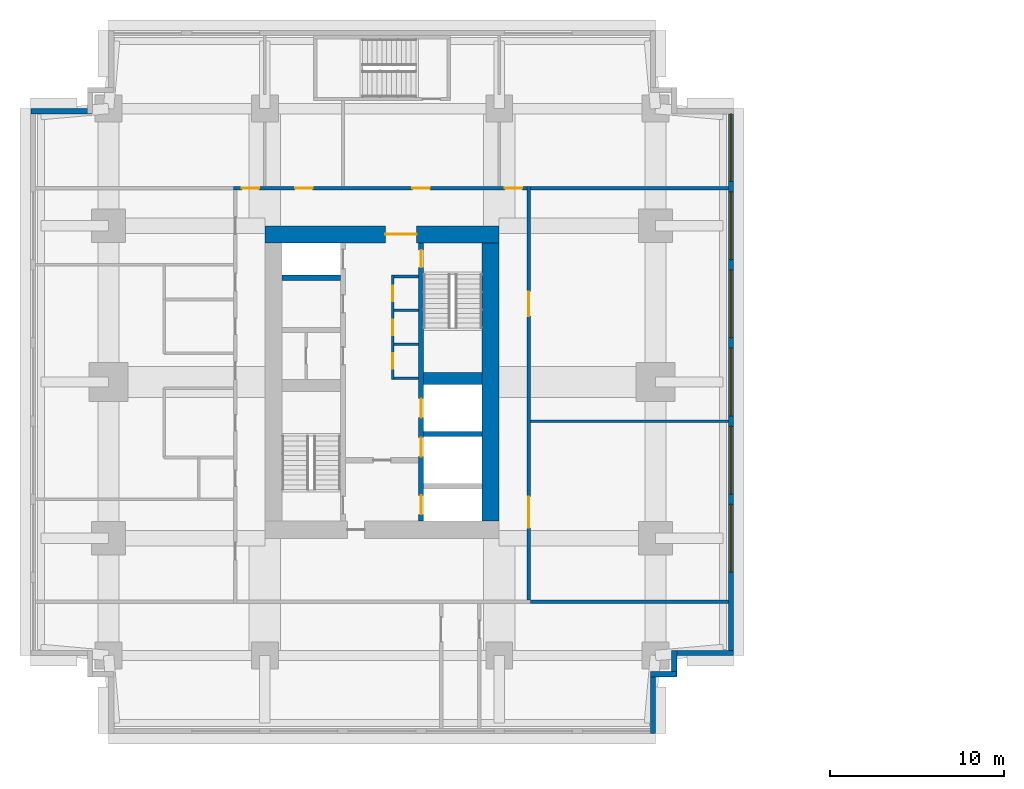
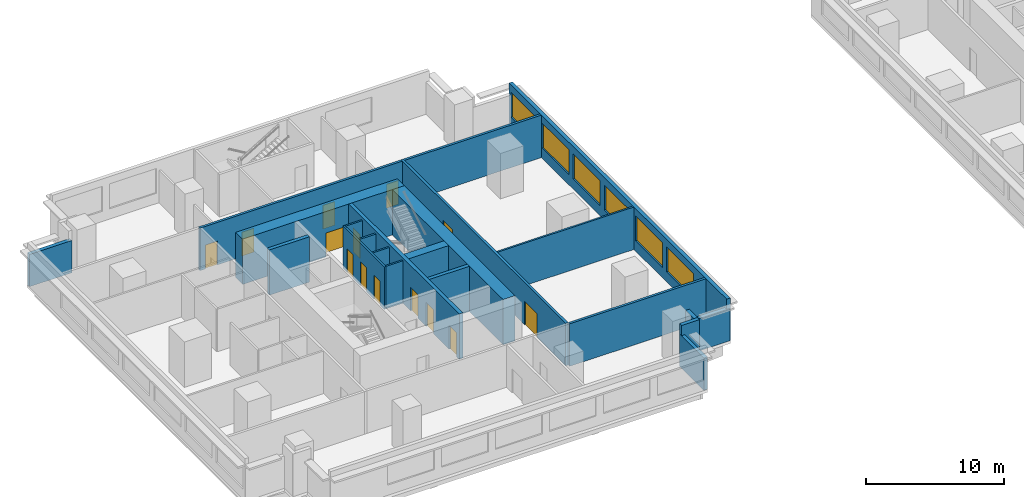
# One storey, part 4 of 11: 22 walls, 14 doors, 6 windows, 20 openings.
"""IFC4 building model written with IfcOpenShell, lengths in metres."""

from ifc_helpers import new_model, si_unit, direction, frame, frame_2d, origin, place, context, subcontext, project, spatial, rectangle, extrude, material, layer, layer_set, type_object, element, fill, save


model = new_model("IFC4")

# Units and contexts
model_context = context("Model", 3, precision=1e-05, world=origin(), true_north=direction((0.0, 1.0)))
body_context = subcontext(model_context, "Body", "Model", "MODEL_VIEW")
ifc_project = project(units=[si_unit("LENGTHUNIT", "METRE"), si_unit("AREAUNIT", "SQUARE_METRE"), si_unit("VOLUMEUNIT", "CUBIC_METRE"), si_unit("PLANEANGLEUNIT", "RADIAN"), si_unit("MASSUNIT", "GRAM", prefix="KILO")], contexts=[model_context])

# Site, building, storey
site_placement = place(None, origin())
site = spatial("IfcSite", under=ifc_project, at=site_placement, CompositionType="ELEMENT")
building_placement = place(site_placement, origin())
building = spatial("IfcBuilding", under=site, at=building_placement, Name="Namib Vertical Campus", CompositionType="ELEMENT")
storey_placement = place(building_placement, frame((0.0, 0.0, 213.0)))
storey = spatial("IfcBuildingStorey", under=building, at=storey_placement, Name="L50", CompositionType="ELEMENT", Elevation=213.0)

# Wall, openings, doors
ifc_material_1 = material(Name="Concrete C60/75", Category="concrete")
ifc_layer_1 = layer(ifc_material_1, 0.300048828125)
ifc_layer_set_1 = layer_set([ifc_layer_1], Name="Concrete C60/75")
wall_type_1 = type_object("IfcWallType", Name="Core inner wall 300", PredefinedType="SHEAR", material=ifc_layer_set_1)
wall_1_placement = place(storey_placement, frame((22.5, 12.25, 0.0), z_axis=(0.0, 0.0, 1.0), x_axis=(0.0, 1.0, 0.0)))
wall_1 = element("IfcWall", 1, at=wall_1_placement, inside=storey, type_object=wall_type_1, Name="Core inner wall A L50 W2", PredefinedType="SHEAR", context=body_context, shape_type="SweptSolid", body=[
    extrude(rectangle(XDim=16.0, YDim=0.300048828125, at=frame_2d((8.0, 0.0))), origin(), (0.0, 0.0, 1.0), 4.0),
])
opening_1_placement = place(wall_1_placement, frame((14.60009765625, 0.0, 0.0)))
opening_1 = element("IfcOpeningElement", 2, at=opening_1_placement, cuts=wall_1, Name="Opening FD1", PredefinedType="OPENING", context=body_context, shape_type="SweptSolid", body=[
    extrude(rectangle(XDim=1.0, YDim=2.10009765625, at=frame_2d((0.5, 1.050048828125))), frame((0.0, 0.159912109375, 0.0), z_axis=(0.0, -1.0, 0.0), x_axis=(1.0, 0.0, 0.0)), (0.0, 0.0, 1.0), 0.320068359375),
])
opening_2_placement = place(wall_1_placement, frame((0.375, 0.0, 0.0)))
opening_2 = element("IfcOpeningElement", 3, at=opening_2_placement, cuts=wall_1, Name="Opening LD1", PredefinedType="OPENING", context=body_context, shape_type="SweptSolid", body=[
    extrude(rectangle(XDim=1.10009765625, YDim=2.10009765625, at=frame_2d((0.550048828125, 1.050048828125))), frame((0.0, 0.159912109375, 0.0), z_axis=(0.0, -1.0, 0.0), x_axis=(1.0, 0.0, 0.0)), (0.0, 0.0, 1.0), 0.320068359375),
])
opening_3_placement = place(wall_1_placement, frame((3.699951171875, 0.0, 0.0)))
opening_3 = element("IfcOpeningElement", 4, at=opening_3_placement, cuts=wall_1, Name="Opening LD1", PredefinedType="OPENING", context=body_context, shape_type="SweptSolid", body=[
    extrude(rectangle(XDim=1.10009765625, YDim=2.10009765625, at=frame_2d((0.550048828125, 1.050048828125))), frame((0.0, 0.159912109375, 0.0), z_axis=(0.0, -1.0, 0.0), x_axis=(1.0, 0.0, 0.0)), (0.0, 0.0, 1.0), 0.320068359375),
])
opening_4_placement = place(wall_1_placement, frame((5.949951171875, 0.0, 0.0)))
opening_4 = element("IfcOpeningElement", 5, at=opening_4_placement, cuts=wall_1, Name="Opening LD1", PredefinedType="OPENING", context=body_context, shape_type="SweptSolid", body=[
    extrude(rectangle(XDim=1.10009765625, YDim=2.10009765625, at=frame_2d((0.550048828125, 1.050048828125))), frame((0.0, 0.159912109375, 0.0), z_axis=(0.0, -1.0, 0.0), x_axis=(1.0, 0.0, 0.0)), (0.0, 0.0, 1.0), 0.320068359375),
])
ifc_material_2 = material(Name="Steel fire door", Category="steel")
door_type_1 = type_object("IfcDoorType", Name="Fire door 1000x2100", OperationType="SINGLE_SWING_RIGHT", PredefinedType="DOOR", material=ifc_material_2)
door_1_placement = place(opening_1_placement, frame((1.0, 0.0, 0.0), z_axis=(0.0, 0.0, 1.0), x_axis=(-1.0, 0.0, 0.0)))
door_1 = element("IfcDoor", 6, at=door_1_placement, inside=storey, type_object=door_type_1, Name="Stair door FD1 A L50 S2", OperationType="SINGLE_SWING_LEFT", OverallHeight=2.10009765625, OverallWidth=1.0, PredefinedType="DOOR", context=body_context, shape_type="SweptSolid", body=[
    extrude(rectangle(XDim=1.0, YDim=2.10009765625, at=frame_2d((0.5, 1.050048828125))), frame((0.0, 0.02490234375, 0.0), z_axis=(0.0, -1.0, 0.0), x_axis=(1.0, 0.0, 0.0)), (0.0, 0.0, 1.0), 0.050048828125),
])
fill(opening_1, door_1)
ifc_material_3 = material(Name="Stainless steel lift door", Category="steel")
door_type_2 = type_object("IfcDoorType", Name="Lift landing door 1100x2100", OperationType="DOUBLE_DOOR_SLIDING", PredefinedType="DOOR", material=ifc_material_3)
door_2_placement = place(opening_2_placement, origin())
door_2 = element("IfcDoor", 7, at=door_2_placement, inside=storey, type_object=door_type_2, Name="Lift landing door LD1 A-FL1 L50", OperationType="DOUBLE_DOOR_SLIDING", OverallHeight=2.10009765625, OverallWidth=1.10009765625, PredefinedType="DOOR", context=body_context, shape_type="SweptSolid", body=[
    extrude(rectangle(XDim=1.10009765625, YDim=2.10009765625, at=frame_2d((0.550048828125, 1.050048828125))), frame((0.0, 0.02490234375, 0.0), z_axis=(0.0, -1.0, 0.0), x_axis=(1.0, 0.0, 0.0)), (0.0, 0.0, 1.0), 0.050048828125),
])
fill(opening_2, door_2)
door_3_placement = place(opening_3_placement, origin())
door_3 = element("IfcDoor", 8, at=door_3_placement, inside=storey, type_object=door_type_2, Name="Lift landing door LD1 A-P4 L50", OperationType="DOUBLE_DOOR_SLIDING", OverallHeight=2.10009765625, OverallWidth=1.10009765625, PredefinedType="DOOR", context=body_context, shape_type="SweptSolid", body=[
    extrude(rectangle(XDim=1.10009765625, YDim=2.10009765625, at=frame_2d((0.550048828125, 1.050048828125))), frame((0.0, 0.02490234375, 0.0), z_axis=(0.0, -1.0, 0.0), x_axis=(1.0, 0.0, 0.0)), (0.0, 0.0, 1.0), 0.050048828125),
])
fill(opening_3, door_3)
door_4_placement = place(opening_4_placement, origin())
door_4 = element("IfcDoor", 9, at=door_4_placement, inside=storey, type_object=door_type_2, Name="Lift landing door LD1 A-P5 L50", OperationType="DOUBLE_DOOR_SLIDING", OverallHeight=2.10009765625, OverallWidth=1.10009765625, PredefinedType="DOOR", context=body_context, shape_type="SweptSolid", body=[
    extrude(rectangle(XDim=1.10009765625, YDim=2.10009765625, at=frame_2d((0.550048828125, 1.050048828125))), frame((0.0, 0.02490234375, 0.0), z_axis=(0.0, -1.0, 0.0), x_axis=(1.0, 0.0, 0.0)), (0.0, 0.0, 1.0), 0.050048828125),
])
fill(opening_4, door_4)

# Walls
for number, where, z_axis, x_axis, name in (
    (10, (22.64990234375, 17.25, 0.0), (0.0, 0.0, 1.0), (1.0, 0.0, 0.0), "Core inner wall A L50 W6"),
    (11, (14.5, 26.25, 0.0), (0.0, 0.0, 1.0), (1.0, 0.0, 0.0), "Core inner wall A L50 W9"),
):
    element("IfcWall", number, at=place(storey_placement, frame(where, z_axis=z_axis, x_axis=x_axis)), inside=storey, type_object=wall_type_1, Name=name, PredefinedType="SHEAR", context=body_context, shape_type="SweptSolid", body=[
        extrude(rectangle(XDim=3.35009765625, YDim=0.300048828125, at=frame_2d((1.675048828125, 0.0))), origin(), (0.0, 0.0, 1.0), 4.0),
    ])
ifc_material_4 = material(Name="Concrete C60/75", Category="concrete")
ifc_layer_2 = layer(ifc_material_4, 0.699951171875)
ifc_layer_set_2 = layer_set([ifc_layer_2], Name="Concrete C60/75")
wall_type_2 = type_object("IfcWallType", Name="Core shear wall 700", PredefinedType="SHEAR", material=ifc_layer_set_2)
wall_2_placement = place(storey_placement, frame((22.64990234375, 20.449951171875, 0.0), z_axis=(0.0, 0.0, 1.0), x_axis=(1.0, 0.0, 0.0)))
element("IfcWall", 12, at=wall_2_placement, inside=storey, type_object=wall_type_2, Name="Core shear wall A L50 W7", PredefinedType="SHEAR", context=body_context, shape_type="SweptSolid", body=[
    extrude(rectangle(XDim=3.35009765625, YDim=0.699951171875, at=frame_2d((1.675048828125, 0.0))), origin(), (0.0, 0.0, 1.0), 4.0),
])
ifc_material_5 = material(Name="Concrete C60/75", Category="concrete")
ifc_layer_3 = layer(ifc_material_5, 1.0)
ifc_layer_set_3 = layer_set([ifc_layer_3], Name="Concrete C60/75")
wall_type_3 = type_object("IfcWallType", Name="Core wall 1000", PredefinedType="SHEAR", material=ifc_layer_set_3)
wall_3_placement = place(storey_placement, frame((26.5, 12.25, 0.0), z_axis=(0.0, 0.0, 1.0), x_axis=(0.0, 1.0, 0.0)))
element("IfcWall", 13, at=wall_3_placement, inside=storey, type_object=wall_type_3, Name="Core wall A L50 2", PredefinedType="SHEAR", context=body_context, shape_type="SweptSolid", body=[
    extrude(rectangle(XDim=16.0, YDim=1.0, at=frame_2d((8.0, 0.0))), origin(), (0.0, 0.0, 1.0), 4.0),
])

# Wall, opening, door
wall_4_placement = place(storey_placement, frame((27.0, 28.75, 0.0), z_axis=(0.0, 0.0, 1.0), x_axis=(-1.0, 0.0, 0.0)))
wall_4 = element("IfcWall", 14, at=wall_4_placement, inside=storey, type_object=wall_type_3, Name="Core wall A L50 3", PredefinedType="SHEAR", context=body_context, shape_type="SweptSolid", body=[
    extrude(rectangle(XDim=13.5, YDim=1.0, at=frame_2d((6.75, 0.0))), origin(), (0.0, 0.0, 1.0), 4.0),
])
opening_5_placement = place(wall_4_placement, frame((4.75, 0.0, 0.0)))
opening_5 = element("IfcOpeningElement", 15, at=opening_5_placement, cuts=wall_4, Name="Opening FD2", PredefinedType="OPENING", context=body_context, shape_type="SweptSolid", body=[
    extrude(rectangle(XDim=1.800048828125, YDim=2.10009765625, at=frame_2d((0.89990234375, 1.050048828125))), frame((0.0, 0.510009765625, 0.0), z_axis=(0.0, -1.0, 0.0), x_axis=(1.0, 0.0, 0.0)), (0.0, 0.0, 1.0), 1.02001953125),
])
ifc_material_6 = material(Name="Steel fire door", Category="steel")
door_type_3 = type_object("IfcDoorType", Name="Fire door double 1800x2100", OperationType="DOUBLE_DOOR_SINGLE_SWING", PredefinedType="DOOR", material=ifc_material_6)
door_5_placement = place(opening_5_placement, origin())
door_5 = element("IfcDoor", 16, at=door_5_placement, inside=storey, type_object=door_type_3, Name="Lift lobby door FD2 A L50", OperationType="DOUBLE_DOOR_SINGLE_SWING", OverallHeight=2.10009765625, OverallWidth=1.800048828125, PredefinedType="DOOR", context=body_context, shape_type="SweptSolid", body=[
    extrude(rectangle(XDim=1.800048828125, YDim=2.10009765625, at=frame_2d((0.89990234375, 1.050048828125))), frame((0.0, 0.02490234375, 0.0), z_axis=(0.0, -1.0, 0.0), x_axis=(1.0, 0.0, 0.0)), (0.0, 0.0, 1.0), 0.050048828125),
])
fill(opening_5, door_5)

# Wall, openings, doors
ifc_material_7 = material(Name="Concrete masonry", Category="masonry")
ifc_layer_4 = layer(ifc_material_7, 0.199951171875)
ifc_layer_set_4 = layer_set([ifc_layer_4], Name="Corridor wall 200")
wall_type_4 = type_object("IfcWallType", Name="Corridor wall 200", PredefinedType="SOLIDWALL", material=ifc_layer_set_4)
wall_5_placement = place(storey_placement, frame((28.699951171875, 7.699951171875, 0.0), z_axis=(0.0, 0.0, 1.0), x_axis=(0.0, 1.0, 0.0)))
wall_5 = element("IfcWall", 17, at=wall_5_placement, inside=storey, type_object=wall_type_4, Name="Corridor wall A L50 CE", PredefinedType="SOLIDWALL", context=body_context, shape_type="SweptSolid", body=[
    extrude(rectangle(XDim=23.800048828125, YDim=0.199951171875, at=frame_2d((11.89990234375, 0.0))), origin(), (0.0, 0.0, 1.0), 3.75),
])
opening_6_placement = place(wall_5_placement, frame((4.14990234375, 0.0, 0.0)))
opening_6 = element("IfcOpeningElement", 18, at=opening_6_placement, cuts=wall_5, Name="Opening CD2", PredefinedType="OPENING", context=body_context, shape_type="SweptSolid", body=[
    extrude(rectangle(XDim=1.800048828125, YDim=2.10009765625, at=frame_2d((0.89990234375, 1.050048828125))), frame((0.0, 0.10986328125, 0.0), z_axis=(0.0, -1.0, 0.0), x_axis=(1.0, 0.0, 0.0)), (0.0, 0.0, 1.0), 0.219970703125),
])
opening_7_placement = place(wall_5_placement, frame((16.35009765625, 0.0, 0.0)))
opening_7 = element("IfcOpeningElement", 19, at=opening_7_placement, cuts=wall_5, Name="Opening LB1", PredefinedType="OPENING", context=body_context, shape_type="SweptSolid", body=[
    extrude(rectangle(XDim=1.39990234375, YDim=2.10009765625, at=frame_2d((0.699951171875, 1.050048828125))), frame((0.0, 0.10986328125, 0.0), z_axis=(0.0, -1.0, 0.0), x_axis=(1.0, 0.0, 0.0)), (0.0, 0.0, 1.0), 0.219970703125),
])
ifc_material_8 = material(Name="Timber fire door leaf", Category="wood")
door_type_4 = type_object("IfcDoorType", Name="Corridor door double 1800x2100 20 min", OperationType="DOUBLE_DOOR_SINGLE_SWING", PredefinedType="DOOR", material=ifc_material_8)
door_6_placement = place(opening_6_placement, frame((1.800048828125, 0.0, 0.0), z_axis=(0.0, 0.0, 1.0), x_axis=(-1.0, 0.0, 0.0)))
door_6 = element("IfcDoor", 20, at=door_6_placement, inside=storey, type_object=door_type_4, Name="Door CD2 A50-03", OperationType="DOUBLE_DOOR_SINGLE_SWING", OverallHeight=2.10009765625, OverallWidth=1.800048828125, PredefinedType="DOOR", context=body_context, shape_type="SweptSolid", body=[
    extrude(rectangle(XDim=1.800048828125, YDim=2.10009765625, at=frame_2d((0.89990234375, 1.050048828125))), frame((0.0, 0.02490234375, 0.0), z_axis=(0.0, -1.0, 0.0), x_axis=(1.0, 0.0, 0.0)), (0.0, 0.0, 1.0), 0.050048828125),
])
fill(opening_6, door_6)
ifc_material_9 = material(Name="Timber fire door leaf", Category="wood")
door_type_5 = type_object("IfcDoorType", Name="Laboratory door 1400x2100 leaf and a half", OperationType="DOUBLE_DOOR_SINGLE_SWING", PredefinedType="DOOR", material=ifc_material_9)
door_7_placement = place(opening_7_placement, frame((1.39990234375, 0.0, 0.0), z_axis=(0.0, 0.0, 1.0), x_axis=(-1.0, 0.0, 0.0)))
door_7 = element("IfcDoor", 21, at=door_7_placement, inside=storey, type_object=door_type_5, Name="Door LB1 A50-04", OperationType="DOUBLE_DOOR_SINGLE_SWING", OverallHeight=2.10009765625, OverallWidth=1.39990234375, PredefinedType="DOOR", context=body_context, shape_type="SweptSolid", body=[
    extrude(rectangle(XDim=1.39990234375, YDim=2.10009765625, at=frame_2d((0.699951171875, 1.050048828125))), frame((0.0, 0.02490234375, 0.0), z_axis=(0.0, -1.0, 0.0), x_axis=(1.0, 0.0, 0.0)), (0.0, 0.0, 1.0), 0.050048828125),
])
fill(opening_7, door_7)

wall_6_placement = place(storey_placement, frame((28.60009765625, 31.39990234375, 0.0), z_axis=(0.0, 0.0, 1.0), x_axis=(-1.0, 0.0, 0.0)))
wall_6 = element("IfcWall", 22, at=wall_6_placement, inside=storey, type_object=wall_type_4, Name="Corridor wall A L50 CN", PredefinedType="SOLIDWALL", context=body_context, shape_type="SweptSolid", body=[
    extrude(rectangle(XDim=16.900146484375, YDim=0.199951171875, at=frame_2d((8.4501953125, 0.0))), origin(), (0.0, 0.0, 1.0), 3.75),
])
opening_8_placement = place(wall_6_placement, frame((15.425048828125, 0.0, 0.0)))
opening_8 = element("IfcOpeningElement", 23, at=opening_8_placement, cuts=wall_6, Name="Opening CD1", PredefinedType="OPENING", context=body_context, shape_type="SweptSolid", body=[
    extrude(rectangle(XDim=1.0, YDim=2.10009765625, at=frame_2d((0.5, 1.050048828125))), frame((0.0, 0.10986328125, 0.0), z_axis=(0.0, -1.0, 0.0), x_axis=(1.0, 0.0, 0.0)), (0.0, 0.0, 1.0), 0.219970703125),
])
opening_9_placement = place(wall_6_placement, frame((12.35009765625, 0.0, 0.0)))
opening_9 = element("IfcOpeningElement", 24, at=opening_9_placement, cuts=wall_6, Name="Opening CD1", PredefinedType="OPENING", context=body_context, shape_type="SweptSolid", body=[
    extrude(rectangle(XDim=1.0, YDim=2.10009765625, at=frame_2d((0.5, 1.050048828125))), frame((0.0, 0.10986328125, 0.0), z_axis=(0.0, -1.0, 0.0), x_axis=(1.0, 0.0, 0.0)), (0.0, 0.0, 1.0), 0.219970703125),
])
opening_10_placement = place(wall_6_placement, frame((5.60009765625, 0.0, 0.0)))
opening_10 = element("IfcOpeningElement", 25, at=opening_10_placement, cuts=wall_6, Name="Opening CD4", PredefinedType="OPENING", context=body_context, shape_type="SweptSolid", body=[
    extrude(rectangle(XDim=1.0, YDim=2.10009765625, at=frame_2d((0.5, 1.050048828125))), frame((0.0, 0.10986328125, 0.0), z_axis=(0.0, -1.0, 0.0), x_axis=(1.0, 0.0, 0.0)), (0.0, 0.0, 1.0), 0.219970703125),
])
opening_11_placement = place(wall_6_placement, frame((0.27490234375, 0.0, 0.0)))
opening_11 = element("IfcOpeningElement", 26, at=opening_11_placement, cuts=wall_6, Name="Opening CD1", PredefinedType="OPENING", context=body_context, shape_type="SweptSolid", body=[
    extrude(rectangle(XDim=1.0, YDim=2.10009765625, at=frame_2d((0.5, 1.050048828125))), frame((0.0, 0.10986328125, 0.0), z_axis=(0.0, -1.0, 0.0), x_axis=(1.0, 0.0, 0.0)), (0.0, 0.0, 1.0), 0.219970703125),
])
ifc_material_10 = material(Name="Timber fire door leaf", Category="wood")
door_type_6 = type_object("IfcDoorType", Name="Corridor door 1000x2100 20 min", OperationType="SINGLE_SWING_LEFT", PredefinedType="DOOR", material=ifc_material_10)
door_8_placement = place(opening_8_placement, frame((1.0, 0.0, 0.0), z_axis=(0.0, 0.0, 1.0), x_axis=(-1.0, 0.0, 0.0)))
door_8 = element("IfcDoor", 27, at=door_8_placement, inside=storey, type_object=door_type_6, Name="Door CD1 A50-05", OperationType="SINGLE_SWING_RIGHT", OverallHeight=2.10009765625, OverallWidth=1.0, PredefinedType="DOOR", context=body_context, shape_type="SweptSolid", body=[
    extrude(rectangle(XDim=1.0, YDim=2.10009765625, at=frame_2d((0.5, 1.050048828125))), frame((0.0, 0.02490234375, 0.0), z_axis=(0.0, -1.0, 0.0), x_axis=(1.0, 0.0, 0.0)), (0.0, 0.0, 1.0), 0.050048828125),
])
fill(opening_8, door_8)
door_9_placement = place(opening_9_placement, frame((1.0, 0.0, 0.0), z_axis=(0.0, 0.0, 1.0), x_axis=(-1.0, 0.0, 0.0)))
door_9 = element("IfcDoor", 28, at=door_9_placement, inside=storey, type_object=door_type_6, Name="Door CD1 A50-06", OperationType="SINGLE_SWING_RIGHT", OverallHeight=2.10009765625, OverallWidth=1.0, PredefinedType="DOOR", context=body_context, shape_type="SweptSolid", body=[
    extrude(rectangle(XDim=1.0, YDim=2.10009765625, at=frame_2d((0.5, 1.050048828125))), frame((0.0, 0.02490234375, 0.0), z_axis=(0.0, -1.0, 0.0), x_axis=(1.0, 0.0, 0.0)), (0.0, 0.0, 1.0), 0.050048828125),
])
fill(opening_9, door_9)
door_10_placement = place(opening_11_placement, frame((1.0, 0.0, 0.0), z_axis=(0.0, 0.0, 1.0), x_axis=(-1.0, 0.0, 0.0)))
door_10 = element("IfcDoor", 29, at=door_10_placement, inside=storey, type_object=door_type_6, Name="Door CD1 A50-08", OperationType="SINGLE_SWING_LEFT", OverallHeight=2.10009765625, OverallWidth=1.0, PredefinedType="DOOR", context=body_context, shape_type="SweptSolid", body=[
    extrude(rectangle(XDim=1.0, YDim=2.10009765625, at=frame_2d((0.5, 1.050048828125))), frame((0.0, 0.02490234375, 0.0), z_axis=(0.0, -1.0, 0.0), x_axis=(1.0, 0.0, 0.0)), (0.0, 0.0, 1.0), 0.050048828125),
])
fill(opening_11, door_10)
ifc_material_11 = material(Name="Timber fire door leaf", Category="wood")
door_type_7 = type_object("IfcDoorType", Name="Corridor door 1000x2100 20 min double-acting", OperationType="DOUBLE_SWING_LEFT", PredefinedType="DOOR", material=ifc_material_11)
door_11_placement = place(opening_10_placement, origin())
door_11 = element("IfcDoor", 30, at=door_11_placement, inside=storey, type_object=door_type_7, Name="Door CD4 A50-07", OperationType="DOUBLE_SWING_LEFT", OverallHeight=2.10009765625, OverallWidth=1.0, PredefinedType="DOOR", context=body_context, shape_type="SweptSolid", body=[
    extrude(rectangle(XDim=1.0, YDim=2.10009765625, at=frame_2d((0.5, 1.050048828125))), frame((0.0, 0.02490234375, 0.0), z_axis=(0.0, -1.0, 0.0), x_axis=(1.0, 0.0, 0.0)), (0.0, 0.0, 1.0), 0.050048828125),
])
fill(opening_10, door_11)

# Walls
for number, where, z_axis, x_axis, name in (
    (31, (28.800048828125, 7.60009765625, 0.0), (0.0, 0.0, 1.0), (1.0, 0.0, 0.0), "Partition A L50 BSE"),
    (32, (28.800048828125, 31.39990234375, 0.0), (0.0, 0.0, 1.0), (1.0, 0.0, 0.0), "Partition A L50 BNE"),
):
    element("IfcWall", number, at=place(storey_placement, frame(where, z_axis=z_axis, x_axis=x_axis)), inside=storey, type_object=wall_type_4, Name=name, PredefinedType="SOLIDWALL", context=body_context, shape_type="SweptSolid", body=[
        extrude(rectangle(XDim=11.39990234375, YDim=0.199951171875, at=frame_2d((5.699951171875, 0.0))), origin(), (0.0, 0.0, 1.0), 3.75),
    ])
ifc_material_12 = material(Name="Concrete C40/50", Category="concrete")
ifc_layer_5 = layer(ifc_material_12, 0.300048828125)
ifc_layer_set_5 = layer_set([ifc_layer_5], Name="Concrete C40/50")
wall_type_5 = type_object("IfcWallType", Name="External wall 300 board-marked concrete", PredefinedType="STANDARD", material=ifc_layer_set_5)
wall_7_placement = place(storey_placement, frame((35.85009765625, 0.02001953125, 0.0), z_axis=(0.0, 0.0, 1.0), x_axis=(0.0, 1.0, 0.0)))
element("IfcWall", 33, at=wall_7_placement, inside=storey, type_object=wall_type_5, Name="External wall L50 F02", PredefinedType="STANDARD", context=body_context, shape_type="SweptSolid", body=[
    extrude(rectangle(XDim=3.534912109375, YDim=0.300048828125, at=frame_2d((1.767578125, 0.0))), origin(), (0.0, 0.0, 1.0), 2.85009765625),
])
for number, where, z_axis, x_axis, name in (
    (34, (35.719970703125, 3.425048828125, 0.0), (0.0, 0.0, 1.0), (1.0, 0.0, 0.0), "External wall L50 F03"),
    (35, (37.074951171875, 3.294921875, 0.0), (0.0, 0.0, 1.0), (0.0, 1.0, 0.0), "External wall L50 F04"),
):
    element("IfcWall", number, at=place(storey_placement, frame(where, z_axis=z_axis, x_axis=x_axis)), inside=storey, type_object=wall_type_5, Name=name, PredefinedType="STANDARD", context=body_context, shape_type="SweptSolid", body=[
        extrude(rectangle(XDim=1.485107421875, YDim=0.300048828125, at=frame_2d((0.74267578125, 0.0))), origin(), (0.0, 0.0, 1.0), 3.75),
    ])
wall_8_placement = place(storey_placement, frame((36.945068359375, 4.64990234375, 0.0), z_axis=(0.0, 0.0, 1.0), x_axis=(1.0, 0.0, 0.0)))
element("IfcWall", 36, at=wall_8_placement, inside=storey, type_object=wall_type_5, Name="External wall L50 F05", PredefinedType="STANDARD", context=body_context, shape_type="SweptSolid", body=[
    extrude(rectangle(XDim=3.534912109375, YDim=0.300048828125, at=frame_2d((1.767578125, 0.0))), origin(), (0.0, 0.0, 1.0), 2.85009765625),
])

# Wall, openings, windows
wall_9_placement = place(storey_placement, frame((40.35009765625, 4.52001953125, 0.0), z_axis=(0.0, 0.0, 1.0), x_axis=(0.0, 1.0, 0.0)))
wall_9 = element("IfcWall", 37, at=wall_9_placement, inside=storey, type_object=wall_type_5, Name="External wall L50 F06", PredefinedType="STANDARD", context=body_context, shape_type="SweptSolid", body=[
    extrude(rectangle(XDim=31.4599609375, YDim=0.300048828125, at=frame_2d((15.72998046875, 0.0))), origin(), (0.0, 0.0, 1.0), 3.75),
])
opening_12_placement = place(wall_9_placement, frame((4.780029296875, 0.0, 0.89990234375)))
opening_12 = element("IfcOpeningElement", 38, at=opening_12_placement, cuts=wall_9, Name="Opening W1", PredefinedType="OPENING", context=body_context, shape_type="SweptSolid", body=[
    extrude(rectangle(XDim=3.89990234375, YDim=2.199951171875, at=frame_2d((1.949951171875, 1.10009765625))), frame((0.0, 0.159912109375, 0.0), z_axis=(0.0, -1.0, 0.0), x_axis=(1.0, 0.0, 0.0)), (0.0, 0.0, 1.0), 0.320068359375),
])
opening_13_placement = place(wall_9_placement, frame((9.280029296875, 0.0, 0.89990234375)))
opening_13 = element("IfcOpeningElement", 39, at=opening_13_placement, cuts=wall_9, Name="Opening W1", PredefinedType="OPENING", context=body_context, shape_type="SweptSolid", body=[
    extrude(rectangle(XDim=3.89990234375, YDim=2.199951171875, at=frame_2d((1.949951171875, 1.10009765625))), frame((0.0, 0.159912109375, 0.0), z_axis=(0.0, -1.0, 0.0), x_axis=(1.0, 0.0, 0.0)), (0.0, 0.0, 1.0), 0.320068359375),
])
opening_14_placement = place(wall_9_placement, frame((13.780029296875, 0.0, 0.89990234375)))
opening_14 = element("IfcOpeningElement", 40, at=opening_14_placement, cuts=wall_9, Name="Opening W1", PredefinedType="OPENING", context=body_context, shape_type="SweptSolid", body=[
    extrude(rectangle(XDim=3.89990234375, YDim=2.199951171875, at=frame_2d((1.949951171875, 1.10009765625))), frame((0.0, 0.159912109375, 0.0), z_axis=(0.0, -1.0, 0.0), x_axis=(1.0, 0.0, 0.0)), (0.0, 0.0, 1.0), 0.320068359375),
])
opening_15_placement = place(wall_9_placement, frame((18.280029296875, 0.0, 0.89990234375)))
opening_15 = element("IfcOpeningElement", 41, at=opening_15_placement, cuts=wall_9, Name="Opening W1", PredefinedType="OPENING", context=body_context, shape_type="SweptSolid", body=[
    extrude(rectangle(XDim=3.89990234375, YDim=2.199951171875, at=frame_2d((1.949951171875, 1.10009765625))), frame((0.0, 0.159912109375, 0.0), z_axis=(0.0, -1.0, 0.0), x_axis=(1.0, 0.0, 0.0)), (0.0, 0.0, 1.0), 0.320068359375),
])
opening_16_placement = place(wall_9_placement, frame((22.780029296875, 0.0, 0.89990234375)))
opening_16 = element("IfcOpeningElement", 42, at=opening_16_placement, cuts=wall_9, Name="Opening W1", PredefinedType="OPENING", context=body_context, shape_type="SweptSolid", body=[
    extrude(rectangle(XDim=3.89990234375, YDim=2.199951171875, at=frame_2d((1.949951171875, 1.10009765625))), frame((0.0, 0.159912109375, 0.0), z_axis=(0.0, -1.0, 0.0), x_axis=(1.0, 0.0, 0.0)), (0.0, 0.0, 1.0), 0.320068359375),
])
opening_17_placement = place(wall_9_placement, frame((27.280029296875, 0.0, 0.89990234375)))
opening_17 = element("IfcOpeningElement", 43, at=opening_17_placement, cuts=wall_9, Name="Opening W1", PredefinedType="OPENING", context=body_context, shape_type="SweptSolid", body=[
    extrude(rectangle(XDim=3.89990234375, YDim=2.199951171875, at=frame_2d((1.949951171875, 1.10009765625))), frame((0.0, 0.159912109375, 0.0), z_axis=(0.0, -1.0, 0.0), x_axis=(1.0, 0.0, 0.0)), (0.0, 0.0, 1.0), 0.320068359375),
])
ifc_material_13 = material(Name="Dark tinted glass in black aluminium frame", Category="aluminium")
window_type = type_object("IfcWindowType", Name="Ribbon window 3900x2200", PartitioningType="SINGLE_PANEL", PredefinedType="WINDOW", material=ifc_material_13)
window_1_placement = place(opening_12_placement, origin())
window_1 = element("IfcWindow", 44, at=window_1_placement, inside=storey, type_object=window_type, Name="Window W1 L50 F06-2", OverallHeight=2.199951171875, OverallWidth=3.89990234375, PartitioningType="SINGLE_PANEL", PredefinedType="WINDOW", context=body_context, shape_type="SweptSolid", body=[
    extrude(rectangle(XDim=3.89990234375, YDim=2.199951171875, at=frame_2d((1.949951171875, 1.10009765625))), frame((0.0, 0.030029296875, 0.0), z_axis=(0.0, -1.0, 0.0), x_axis=(1.0, 0.0, 0.0)), (0.0, 0.0, 1.0), 0.06005859375),
])
fill(opening_12, window_1)
window_2_placement = place(opening_13_placement, origin())
window_2 = element("IfcWindow", 45, at=window_2_placement, inside=storey, type_object=window_type, Name="Window W1 L50 F06-3", OverallHeight=2.199951171875, OverallWidth=3.89990234375, PartitioningType="SINGLE_PANEL", PredefinedType="WINDOW", context=body_context, shape_type="SweptSolid", body=[
    extrude(rectangle(XDim=3.89990234375, YDim=2.199951171875, at=frame_2d((1.949951171875, 1.10009765625))), frame((0.0, 0.030029296875, 0.0), z_axis=(0.0, -1.0, 0.0), x_axis=(1.0, 0.0, 0.0)), (0.0, 0.0, 1.0), 0.06005859375),
])
fill(opening_13, window_2)
window_3_placement = place(opening_14_placement, origin())
window_3 = element("IfcWindow", 46, at=window_3_placement, inside=storey, type_object=window_type, Name="Window W1 L50 F06-4", OverallHeight=2.199951171875, OverallWidth=3.89990234375, PartitioningType="SINGLE_PANEL", PredefinedType="WINDOW", context=body_context, shape_type="SweptSolid", body=[
    extrude(rectangle(XDim=3.89990234375, YDim=2.199951171875, at=frame_2d((1.949951171875, 1.10009765625))), frame((0.0, 0.030029296875, 0.0), z_axis=(0.0, -1.0, 0.0), x_axis=(1.0, 0.0, 0.0)), (0.0, 0.0, 1.0), 0.06005859375),
])
fill(opening_14, window_3)
window_4_placement = place(opening_15_placement, origin())
window_4 = element("IfcWindow", 47, at=window_4_placement, inside=storey, type_object=window_type, Name="Window W1 L50 F06-5", OverallHeight=2.199951171875, OverallWidth=3.89990234375, PartitioningType="SINGLE_PANEL", PredefinedType="WINDOW", context=body_context, shape_type="SweptSolid", body=[
    extrude(rectangle(XDim=3.89990234375, YDim=2.199951171875, at=frame_2d((1.949951171875, 1.10009765625))), frame((0.0, 0.030029296875, 0.0), z_axis=(0.0, -1.0, 0.0), x_axis=(1.0, 0.0, 0.0)), (0.0, 0.0, 1.0), 0.06005859375),
])
fill(opening_15, window_4)
window_5_placement = place(opening_16_placement, origin())
window_5 = element("IfcWindow", 48, at=window_5_placement, inside=storey, type_object=window_type, Name="Window W1 L50 F06-6", OverallHeight=2.199951171875, OverallWidth=3.89990234375, PartitioningType="SINGLE_PANEL", PredefinedType="WINDOW", context=body_context, shape_type="SweptSolid", body=[
    extrude(rectangle(XDim=3.89990234375, YDim=2.199951171875, at=frame_2d((1.949951171875, 1.10009765625))), frame((0.0, 0.030029296875, 0.0), z_axis=(0.0, -1.0, 0.0), x_axis=(1.0, 0.0, 0.0)), (0.0, 0.0, 1.0), 0.06005859375),
])
fill(opening_16, window_5)
window_6_placement = place(opening_17_placement, origin())
window_6 = element("IfcWindow", 49, at=window_6_placement, inside=storey, type_object=window_type, Name="Window W1 L50 F06-7", OverallHeight=2.199951171875, OverallWidth=3.89990234375, PartitioningType="SINGLE_PANEL", PredefinedType="WINDOW", context=body_context, shape_type="SweptSolid", body=[
    extrude(rectangle(XDim=3.89990234375, YDim=2.199951171875, at=frame_2d((1.949951171875, 1.10009765625))), frame((0.0, 0.030029296875, 0.0), z_axis=(0.0, -1.0, 0.0), x_axis=(1.0, 0.0, 0.0)), (0.0, 0.0, 1.0), 0.06005859375),
])
fill(opening_17, window_6)

# Wall
wall_10_placement = place(storey_placement, frame((3.554931640625, 35.85009765625, 0.0), z_axis=(0.0, 0.0, 1.0), x_axis=(-1.0, 0.0, 0.0)))
element("IfcWall", 50, at=wall_10_placement, inside=storey, type_object=wall_type_5, Name="External wall L50 F15", PredefinedType="STANDARD", context=body_context, shape_type="SweptSolid", body=[
    extrude(rectangle(XDim=3.534912109375, YDim=0.300048828125, at=frame_2d((1.767578125, 0.0))), origin(), (0.0, 0.0, 1.0), 2.85009765625),
])

# Wall, openings, doors
ifc_material_14 = material(Name="Gypsum board on steel studs", Category="steel")
ifc_layer_6 = layer(ifc_material_14, 0.14990234375)
ifc_layer_set_6 = layer_set([ifc_layer_6], Name="Gypsum board on steel studs")
wall_type_6 = type_object("IfcWallType", Name="Partition 150", PredefinedType="PARTITIONING", material=ifc_layer_set_6)
wall_11_placement = place(storey_placement, frame((20.875, 20.39990234375, 0.0), z_axis=(0.0, 0.0, 1.0), x_axis=(0.0, 1.0, 0.0)))
wall_11 = element("IfcWall", 51, at=wall_11_placement, inside=storey, type_object=wall_type_6, Name="Partition A L50 Records store and Cleaners' store and Linen store front", PredefinedType="PARTITIONING", context=body_context, shape_type="SweptSolid", body=[
    extrude(rectangle(XDim=6.0, YDim=0.14990234375, at=frame_2d((3.0, 0.0))), origin(), (0.0, 0.0, 1.0), 3.75),
])
opening_18_placement = place(wall_11_placement, frame((0.60009765625, 0.0, 0.0)))
opening_18 = element("IfcOpeningElement", 52, at=opening_18_placement, cuts=wall_11, Name="Opening D3", PredefinedType="OPENING", context=body_context, shape_type="SweptSolid", body=[
    extrude(rectangle(XDim=0.89990234375, YDim=2.10009765625, at=frame_2d((0.449951171875, 1.050048828125))), frame((0.0, 0.0849609375, 0.0), z_axis=(0.0, -1.0, 0.0), x_axis=(1.0, 0.0, 0.0)), (0.0, 0.0, 1.0), 0.169921875),
])
opening_19_placement = place(wall_11_placement, frame((2.550048828125, 0.0, 0.0)))
opening_19 = element("IfcOpeningElement", 53, at=opening_19_placement, cuts=wall_11, Name="Opening D3", PredefinedType="OPENING", context=body_context, shape_type="SweptSolid", body=[
    extrude(rectangle(XDim=0.89990234375, YDim=2.10009765625, at=frame_2d((0.449951171875, 1.050048828125))), frame((0.0, 0.0849609375, 0.0), z_axis=(0.0, -1.0, 0.0), x_axis=(1.0, 0.0, 0.0)), (0.0, 0.0, 1.0), 0.169921875),
])
opening_20_placement = place(wall_11_placement, frame((4.5, 0.0, 0.0)))
opening_20 = element("IfcOpeningElement", 54, at=opening_20_placement, cuts=wall_11, Name="Opening D3", PredefinedType="OPENING", context=body_context, shape_type="SweptSolid", body=[
    extrude(rectangle(XDim=0.89990234375, YDim=2.10009765625, at=frame_2d((0.449951171875, 1.050048828125))), frame((0.0, 0.0849609375, 0.0), z_axis=(0.0, -1.0, 0.0), x_axis=(1.0, 0.0, 0.0)), (0.0, 0.0, 1.0), 0.169921875),
])
ifc_material_15 = material(Name="Timber door leaf", Category="wood")
door_type_8 = type_object("IfcDoorType", Name="Toilet door 900x2100", OperationType="SINGLE_SWING_LEFT", PredefinedType="DOOR", material=ifc_material_15)
door_12_placement = place(opening_18_placement, frame((0.89990234375, 0.0, 0.0), z_axis=(0.0, 0.0, 1.0), x_axis=(-1.0, 0.0, 0.0)))
door_12 = element("IfcDoor", 55, at=door_12_placement, inside=storey, type_object=door_type_8, Name="Door D3 Records store A L50", OperationType="SINGLE_SWING_RIGHT", OverallHeight=2.10009765625, OverallWidth=0.89990234375, PredefinedType="DOOR", context=body_context, shape_type="SweptSolid", body=[
    extrude(rectangle(XDim=0.89990234375, YDim=2.10009765625, at=frame_2d((0.449951171875, 1.050048828125))), frame((0.0, 0.02490234375, 0.0), z_axis=(0.0, -1.0, 0.0), x_axis=(1.0, 0.0, 0.0)), (0.0, 0.0, 1.0), 0.050048828125),
])
fill(opening_18, door_12)
door_13_placement = place(opening_19_placement, frame((0.89990234375, 0.0, 0.0), z_axis=(0.0, 0.0, 1.0), x_axis=(-1.0, 0.0, 0.0)))
door_13 = element("IfcDoor", 56, at=door_13_placement, inside=storey, type_object=door_type_8, Name="Door D3 Cleaners' store A L50", OperationType="SINGLE_SWING_RIGHT", OverallHeight=2.10009765625, OverallWidth=0.89990234375, PredefinedType="DOOR", context=body_context, shape_type="SweptSolid", body=[
    extrude(rectangle(XDim=0.89990234375, YDim=2.10009765625, at=frame_2d((0.449951171875, 1.050048828125))), frame((0.0, 0.02490234375, 0.0), z_axis=(0.0, -1.0, 0.0), x_axis=(1.0, 0.0, 0.0)), (0.0, 0.0, 1.0), 0.050048828125),
])
fill(opening_19, door_13)
door_14_placement = place(opening_20_placement, frame((0.89990234375, 0.0, 0.0), z_axis=(0.0, 0.0, 1.0), x_axis=(-1.0, 0.0, 0.0)))
door_14 = element("IfcDoor", 57, at=door_14_placement, inside=storey, type_object=door_type_8, Name="Door D3 Linen store A L50", OperationType="SINGLE_SWING_RIGHT", OverallHeight=2.10009765625, OverallWidth=0.89990234375, PredefinedType="DOOR", context=body_context, shape_type="SweptSolid", body=[
    extrude(rectangle(XDim=0.89990234375, YDim=2.10009765625, at=frame_2d((0.449951171875, 1.050048828125))), frame((0.0, 0.02490234375, 0.0), z_axis=(0.0, -1.0, 0.0), x_axis=(1.0, 0.0, 0.0)), (0.0, 0.0, 1.0), 0.050048828125),
])
fill(opening_20, door_14)

# Walls
for number, where, z_axis, x_axis, name in (
    (58, (20.949951171875, 20.47509765625, 0.0), (0.0, 0.0, 1.0), (1.0, 0.0, 0.0), "Partition A L50 Records store and Cleaners' store and Linen store end 1"),
    (59, (20.949951171875, 22.425048828125, 0.0), (0.0, 0.0, 1.0), (1.0, 0.0, 0.0), "Partition A L50 Records store and Cleaners' store and Linen store division 2"),
    (60, (20.949951171875, 24.375, 0.0), (0.0, 0.0, 1.0), (1.0, 0.0, 0.0), "Partition A L50 Records store and Cleaners' store and Linen store division 3"),
    (61, (20.949951171875, 26.324951171875, 0.0), (0.0, 0.0, 1.0), (1.0, 0.0, 0.0), "Partition A L50 Records store and Cleaners' store and Linen store end 4"),
):
    element("IfcWall", number, at=place(storey_placement, frame(where, z_axis=z_axis, x_axis=x_axis)), inside=storey, type_object=wall_type_6, Name=name, PredefinedType="PARTITIONING", context=body_context, shape_type="SweptSolid", body=[
        extrude(rectangle(XDim=1.400146484375, YDim=0.14990234375, at=frame_2d((0.7001953125, 0.0))), origin(), (0.0, 0.0, 1.0), 3.75),
    ])
wall_12_placement = place(storey_placement, frame((28.800048828125, 18.0, 0.0), z_axis=(0.0, 0.0, 1.0), x_axis=(1.0, 0.0, 0.0)))
element("IfcWall", 62, at=wall_12_placement, inside=storey, type_object=wall_type_6, Name="Partition A L50 PE1", PredefinedType="PARTITIONING", context=body_context, shape_type="SweptSolid", body=[
    extrude(rectangle(XDim=11.39990234375, YDim=0.14990234375, at=frame_2d((5.699951171875, 0.0))), origin(), (0.0, 0.0, 1.0), 3.75),
])

save(model, "model.ifc")
